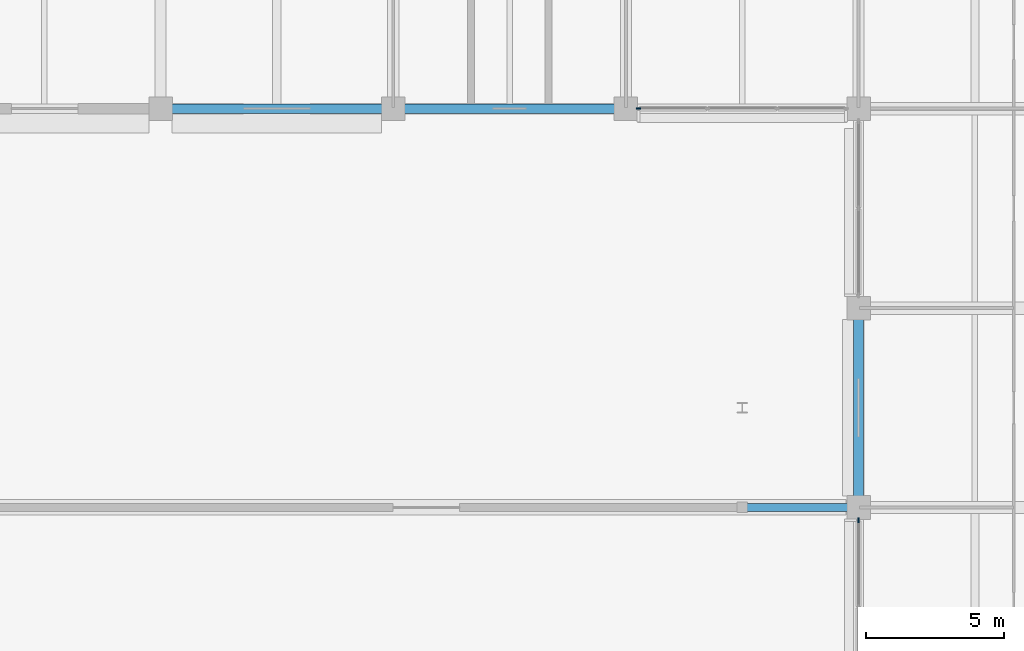
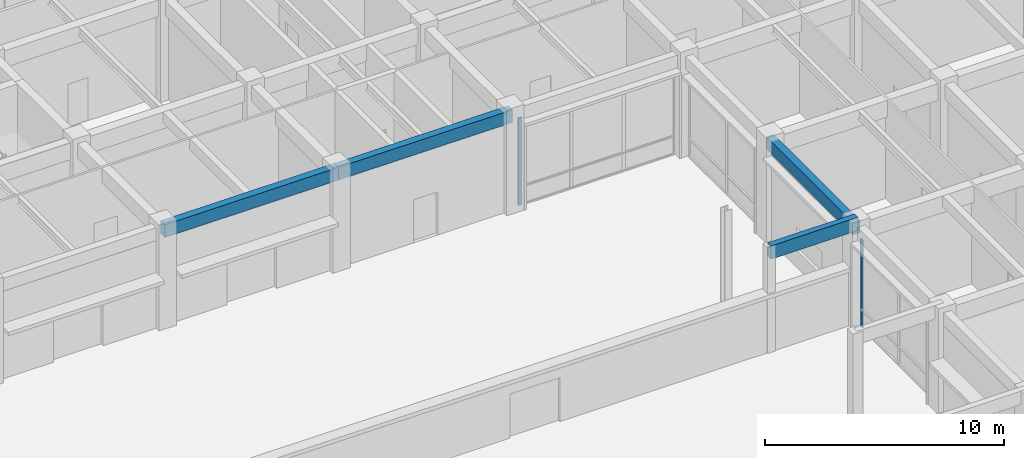
# One storey, part 27 of 73: 4 beams, 2 members, 2 elements without a shape of their own.
"""IFC4 building model written with IfcOpenShell, lengths in metres."""

from ifc_helpers import new_model, si_unit, direction, frame, origin, origin_2d, place, context, subcontext, project, spatial, rectangle, extrude, material, layer, layer_set, material_profile, profile_set, type_object, element, aggregate, save


model = new_model("IFC4")

# Units and contexts
model_context = context("Model", 3, precision=1e-05, world=origin(), true_north=direction((0.0, 1.0)))
body_context = subcontext(model_context, "Body", "Model", "MODEL_VIEW")
ifc_project = project(units=[si_unit("LENGTHUNIT", "METRE"), si_unit("AREAUNIT", "SQUARE_METRE"), si_unit("VOLUMEUNIT", "CUBIC_METRE"), si_unit("PLANEANGLEUNIT", "RADIAN"), si_unit("MASSUNIT", "GRAM", prefix="KILO")], contexts=[model_context])

# Site, building, storey
site_placement = place(None, origin())
site = spatial("IfcSite", under=ifc_project, at=site_placement, CompositionType="ELEMENT")
building_placement = place(site_placement, origin())
building = spatial("IfcBuilding", under=site, at=building_placement, Name="Chengyuan Square Courthouse", CompositionType="ELEMENT")
storey_placement = place(building_placement, origin())
storey = spatial("IfcBuildingStorey", under=building, at=storey_placement, Name="L01", CompositionType="ELEMENT", Elevation=0.0)

# Beams
ifc_material_1 = material(Name="Concrete C40", Category="concrete")
ifc_material_profile_1 = material_profile(ifc_material_1, rectangle(XDim=0.35009765625, YDim=0.64990234375, at=origin_2d()), Name="RC-BM-350x650")
ifc_profile_set_1 = profile_set([ifc_material_profile_1], Name="Concrete C40")
beam_type_1 = type_object("IfcBeamType", Name="BM-03", PredefinedType="SPANDREL", material=ifc_profile_set_1)
beam_1_placement = place(storey_placement, frame((126.0, 79.199951171875, 4.794921875), z_axis=(1.0, 0.0, 0.0), x_axis=(0.0, 1.0, 0.0)))
element("IfcBeam", 1, at=beam_1_placement, inside=storey, type_object=beam_type_1, Name="Girder BM-L01-1704", PredefinedType="SPANDREL", context=body_context, shape_type="SweptSolid", body=[
    extrude(rectangle(XDim=0.35009765625, YDim=0.64990234375, at=origin_2d()), origin(), (0.0, 0.0, 1.0), 8.39990234375),
])
beam_2_placement = place(storey_placement, frame((134.39990234375, 79.199951171875, 4.794921875), z_axis=(1.0, 0.0, 0.0), x_axis=(0.0, 1.0, 0.0)))
element("IfcBeam", 2, at=beam_2_placement, inside=storey, type_object=beam_type_1, Name="Girder BM-L01-1705", PredefinedType="SPANDREL", context=body_context, shape_type="SweptSolid", body=[
    extrude(rectangle(XDim=0.35009765625, YDim=0.64990234375, at=origin_2d()), origin(), (0.0, 0.0, 1.0), 8.400146484375),
])
beam_3_placement = place(storey_placement, frame((151.199951171875, 64.800048828125, 4.794921875), z_axis=(0.0, 1.0, 0.0), x_axis=(-1.0, 0.0, 0.0)))
element("IfcBeam", 3, at=beam_3_placement, inside=storey, type_object=beam_type_1, Name="Girder BM-L01-1921", PredefinedType="SPANDREL", context=body_context, shape_type="SweptSolid", body=[
    extrude(rectangle(XDim=0.35009765625, YDim=0.64990234375, at=origin_2d()), origin(), (0.0, 0.0, 1.0), 7.199951171875),
])

# Curtain wall, member
ifc_material_2 = material(Name="Unitised Aluminium and Triple Low-E Glass", Category="aluminium")
ifc_layer_1 = layer(ifc_material_2, 0.159912109375)
ifc_layer_set_1 = layer_set([ifc_layer_1], Name="Unitised Aluminium and Triple Low-E Glass")
curtain_wall_type_1 = type_object("IfcCurtainWallType", Name="CW-01", PredefinedType="USERDEFINED", material=ifc_layer_set_1)
curtain_wall_1_placement = place(storey_placement, origin())
curtain_wall_1 = element("IfcCurtainWall", 4, at=curtain_wall_1_placement, inside=storey, type_object=curtain_wall_type_1, Name="Unitised Curtain Wall CW-L01-027", ObjectType="UNITISED CURTAIN WALL", PredefinedType="USERDEFINED")
ifc_material_3 = material(Name="Aluminium 6063-T6 Frame", Category="aluminium")
ifc_material_profile_2 = material_profile(ifc_material_3, rectangle(XDim=0.06005859375, YDim=0.159912109375, at=origin_2d()), Name="CW-MUL-60x160")
ifc_profile_set_2 = profile_set([ifc_material_profile_2], Name="Aluminium 6063-T6 Frame")
member_type_1 = type_object("IfcMemberType", Name="CWM-01", PredefinedType="MULLION", material=ifc_profile_set_2)
member_1_placement = place(storey_placement, frame((143.2548828125, 79.199951171875, 0.0), z_axis=(0.0, 0.0, 1.0), x_axis=(0.0, 1.0, 0.0)))
member_1 = element("IfcMember", 5, at=member_1_placement, type_object=member_type_1, Name="CW-01 mullion 1", PredefinedType="MULLION", context=body_context, shape_type="SweptSolid", body=[
    extrude(rectangle(XDim=0.06005859375, YDim=0.159912109375, at=origin_2d()), origin(), (0.0, 0.0, 1.0), 4.469970703125),
])
aggregate(curtain_wall_1, [member_1])

ifc_layer_2 = layer(ifc_material_2, 0.179931640625)
ifc_layer_set_2 = layer_set([ifc_layer_2], Name="Unitised Aluminium and Triple Low-E Glass")
curtain_wall_type_2 = type_object("IfcCurtainWallType", Name="CW-14", PredefinedType="USERDEFINED", material=ifc_layer_set_2)
curtain_wall_2_placement = place(storey_placement, origin())
curtain_wall_2 = element("IfcCurtainWall", 6, at=curtain_wall_2_placement, inside=storey, type_object=curtain_wall_type_2, Name="Unitised Curtain Wall CW-L01-032", ObjectType="UNITISED CURTAIN WALL", PredefinedType="USERDEFINED")
ifc_material_profile_3 = material_profile(ifc_material_3, rectangle(XDim=0.06494140625, YDim=0.179931640625, at=origin_2d()), Name="CW-MUL-65x180")
ifc_profile_set_3 = profile_set([ifc_material_profile_3], Name="Aluminium 6063-T6 Frame")
member_type_2 = type_object("IfcMemberType", Name="CWM-02", PredefinedType="MULLION", material=ifc_profile_set_3)
member_2_placement = place(storey_placement, frame((151.199951171875, 64.342529296875, 0.0), z_axis=(0.0, 0.0, 1.0), x_axis=(-1.0, 0.0, 0.0)))
member_2 = element("IfcMember", 7, at=member_2_placement, type_object=member_type_2, Name="CW-14 mullion 3", PredefinedType="MULLION", context=body_context, shape_type="SweptSolid", body=[
    extrude(rectangle(XDim=0.06494140625, YDim=0.179931640625, at=origin_2d()), origin(), (0.0, 0.0, 1.0), 4.469970703125),
])
aggregate(curtain_wall_2, [member_2])

# Beam
ifc_material_4 = material(Name="Glulam TCt28", Category="wood")
ifc_material_profile_4 = material_profile(ifc_material_4, rectangle(XDim=0.280029296875, YDim=0.679931640625, at=origin_2d()), Name="GL-BM-280x680")
ifc_profile_set_4 = profile_set([ifc_material_profile_4], Name="Glulam TCt28")
beam_type_2 = type_object("IfcBeamType", Name="GLB-01", PredefinedType="BEAM", material=ifc_profile_set_4)
beam_4_placement = place(storey_placement, frame((151.199951171875, 64.800048828125, 5.06005859375), z_axis=(-1.0, 0.0, 0.0), x_axis=(0.0, -1.0, 0.0)))
element("IfcBeam", 8, at=beam_4_placement, inside=storey, type_object=beam_type_2, Name="Glulam Colonnade Portal Beam GLB-L01-020", PredefinedType="BEAM", context=body_context, shape_type="SweptSolid", body=[
    extrude(rectangle(XDim=0.280029296875, YDim=0.679931640625, at=origin_2d()), origin(), (0.0, 0.0, 1.0), 4.199951171875),
])

save(model, "model.ifc")
